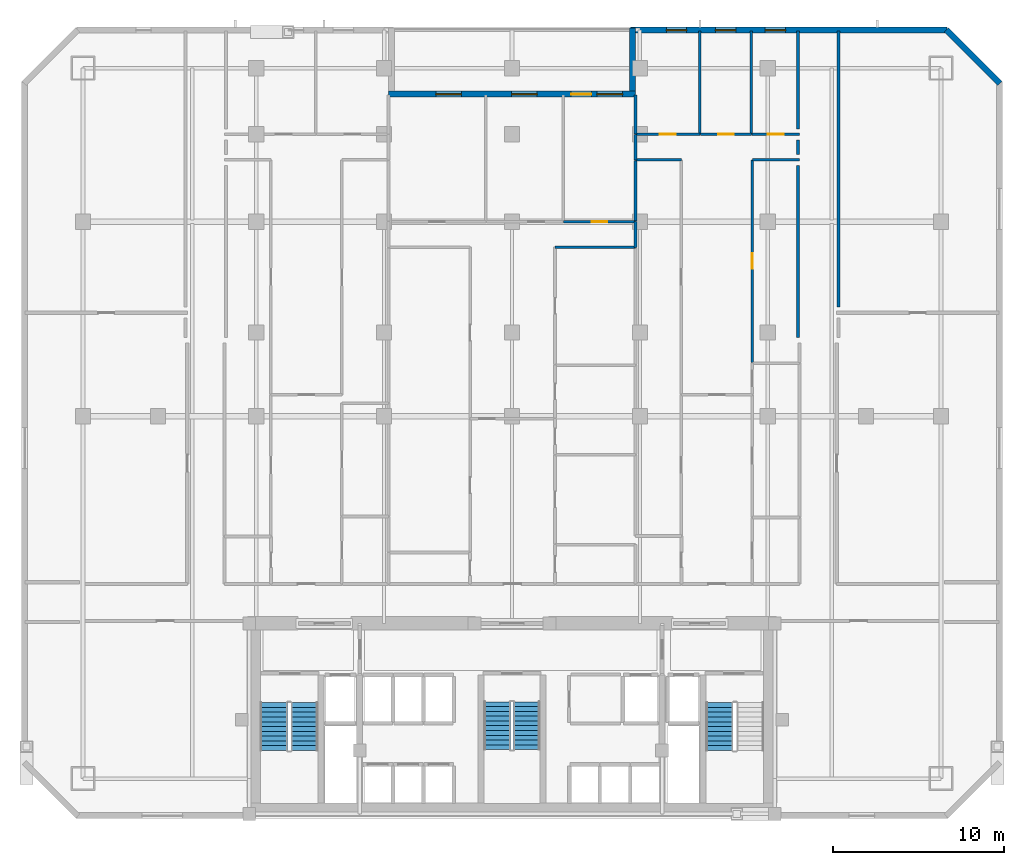
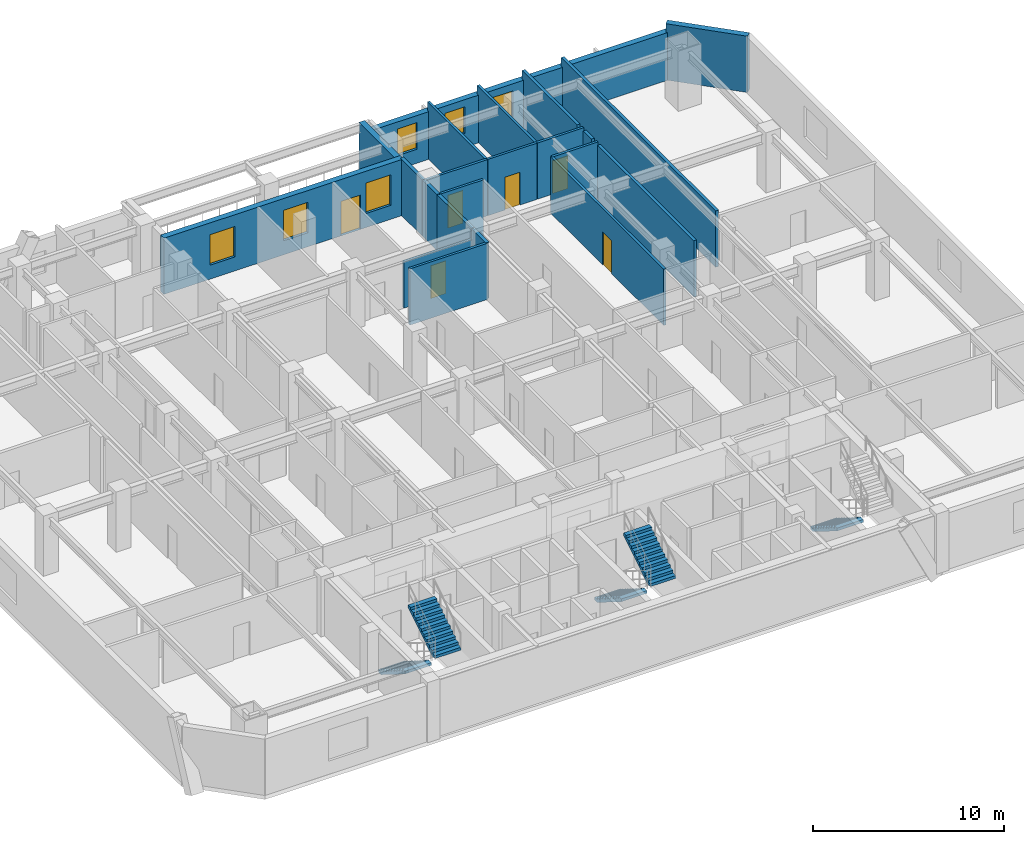
# One storey, part 7 of 10: 22 walls, 6 doors, 6 windows, 5 stair flights, 12 openings, 3 elements without a shape of their own.
"""IFC4 building model written with IfcOpenShell, lengths in metres."""

from ifc_helpers import new_model, si_unit, direction, frame, frame_2d, origin, place, context, subcontext, project, spatial, polyline, rectangle, outline, extrude, material, layer, layer_set, type_object, element, fill, aggregate, save


model = new_model("IFC4")

# Units and contexts
model_context = context("Model", 3, precision=1e-05, world=origin(), true_north=direction((0.0, 1.0)))
body_context = subcontext(model_context, "Body", "Model", "MODEL_VIEW")
ifc_project = project(units=[si_unit("LENGTHUNIT", "METRE"), si_unit("AREAUNIT", "SQUARE_METRE"), si_unit("VOLUMEUNIT", "CUBIC_METRE"), si_unit("PLANEANGLEUNIT", "RADIAN"), si_unit("MASSUNIT", "GRAM", prefix="KILO")], contexts=[model_context])

# Site, building, storey
site_placement = place(None, origin())
site = spatial("IfcSite", under=ifc_project, at=site_placement, CompositionType="ELEMENT")
building_placement = place(site_placement, origin())
building = spatial("IfcBuilding", under=site, at=building_placement, Name="Ventersveld Concourse Tower", CompositionType="ELEMENT")
storey_placement = place(building_placement, frame((0.0, 0.0, 60.60009765625)))
storey = spatial("IfcBuildingStorey", under=building, at=storey_placement, Name="L14", CompositionType="ELEMENT", Elevation=60.60009765625)

# Walls
ifc_material_1 = material(Name="Fire-rated autoclaved aerated masonry blockwork", Category="masonry")
ifc_layer_1 = layer(ifc_material_1, 0.179931640625)
ifc_layer_set_1 = layer_set([ifc_layer_1], Name="Fire-rated autoclaved aerated masonry blockwork")
wall_type_1 = type_object("IfcWallType", Name="WL-CORR-180", PredefinedType="PARTITIONING", material=ifc_layer_set_1)
wall_1_placement = place(storey_placement, frame((47.8798828125, 29.9951171875, 0.0), z_axis=(0.0, 0.0, 1.0), x_axis=(0.0, 1.0, 0.0)))
element("IfcWall", 1, at=wall_1_placement, inside=storey, type_object=wall_type_1, Name="L14 Room Enclosure Wall SP-L14-NELNG2", PredefinedType="PARTITIONING", context=body_context, shape_type="SweptSolid", body=[
    extrude(rectangle(XDim=16.19482421875, YDim=0.179931640625, at=frame_2d((8.097412109375, 0.0))), origin(), (0.0, 0.0, 1.0), 3.599853515625),
])
wall_2_placement = place(storey_placement, frame((45.52001953125, 39.794921875, 0.0), z_axis=(0.0, 0.0, 1.0), x_axis=(0.0, -1.0, 0.0)))
element("IfcWall", 2, at=wall_2_placement, inside=storey, type_object=wall_type_1, Name="L14 Room Enclosure Wall SP-L14-14CE-LIV", PredefinedType="PARTITIONING", context=body_context, shape_type="SweptSolid", body=[
    extrude(rectangle(XDim=0.849853515625, YDim=0.179931640625, at=frame_2d((0.4248046875, 0.0))), origin(), (0.0, 0.0, 1.0), 3.599853515625),
])
wall_3_placement = place(storey_placement, frame((45.52001953125, 38.294921875, 0.0), z_axis=(0.0, 0.0, 1.0), x_axis=(0.0, -1.0, 0.0)))
element("IfcWall", 3, at=wall_3_placement, inside=storey, type_object=wall_type_1, Name="L14 Room Enclosure Wall SP-L14-14CE-DENS", PredefinedType="PARTITIONING", context=body_context, shape_type="SweptSolid", body=[
    extrude(rectangle(XDim=10.0849609375, YDim=0.179931640625, at=frame_2d((5.04248046875, 0.0))), origin(), (0.0, 0.0, 1.0), 3.599853515625),
])
wall_4_placement = place(storey_placement, frame((45.52001953125, 46.18994140625, 0.0), z_axis=(0.0, 0.0, 1.0), x_axis=(0.0, -1.0, 0.0)))
element("IfcWall", 4, at=wall_4_placement, inside=storey, type_object=wall_type_1, Name="L14 Room Enclosure Wall SP-L14-14CE-BR3", PredefinedType="PARTITIONING", context=body_context, shape_type="SweptSolid", body=[
    extrude(rectangle(XDim=5.744873046875, YDim=0.179931640625, at=frame_2d((2.87255859375, 0.0))), origin(), (0.0, 0.0, 1.0), 3.599853515625),
])
ifc_layer_2 = layer(ifc_material_1, 0.199951171875)
ifc_layer_set_2 = layer_set([ifc_layer_2], Name="Fire-rated autoclaved aerated masonry blockwork")
wall_type_2 = type_object("IfcWallType", Name="WL-DEMISE-200", PredefinedType="PARTITIONING", material=ifc_layer_set_2)
wall_5_placement = place(storey_placement, frame((35.989990234375, 38.614990234375, 0.0), z_axis=(0.0, 0.0, 1.0), x_axis=(0.0, 1.0, 0.0)))
element("IfcWall", 5, at=wall_5_placement, inside=storey, type_object=wall_type_2, Name="L14 Interior Partition SP-L14-14CE-LIV-SP-L14-14CM-BR3", PredefinedType="PARTITIONING", context=body_context, shape_type="SweptSolid", body=[
    extrude(rectangle(XDim=1.510009765625, YDim=0.199951171875, at=frame_2d((0.7548828125, 0.0))), origin(), (0.0, 0.0, 1.0), 3.599853515625),
])
wall_6_placement = place(storey_placement, frame((35.989990234375, 33.4951171875, 0.0), z_axis=(0.0, 0.0, 1.0), x_axis=(0.0, 1.0, 0.0)))
element("IfcWall", 6, at=wall_6_placement, inside=storey, type_object=wall_type_2, Name="L14 Interior Partition SP-L14-14CE-OFFL0-SP-L14-14CM-LIV", PredefinedType="PARTITIONING", context=body_context, shape_type="SweptSolid", body=[
    extrude(rectangle(XDim=1.509765625, YDim=0.199951171875, at=frame_2d((0.7548828125, 0.0))), origin(), (0.0, 0.0, 1.0), 3.599853515625),
])
wall_7_placement = place(storey_placement, frame((35.989990234375, 35.034912109375, 0.0), z_axis=(0.0, 0.0, 1.0), x_axis=(0.0, 1.0, 0.0)))
element("IfcWall", 7, at=wall_7_placement, inside=storey, type_object=wall_type_2, Name="L14 Interior Partition SP-L14-14CE-OFFL0-SP-L14-14CM-BR3", PredefinedType="PARTITIONING", context=body_context, shape_type="SweptSolid", body=[
    extrude(rectangle(XDim=3.550048828125, YDim=0.199951171875, at=frame_2d((1.77490234375, 0.0))), origin(), (0.0, 0.0, 1.0), 3.599853515625),
])
wall_8_placement = place(storey_placement, frame((35.989990234375, 40.155029296875, 0.0), z_axis=(0.0, 0.0, 1.0), x_axis=(0.0, 1.0, 0.0)))
element("IfcWall", 8, at=wall_8_placement, inside=storey, type_object=wall_type_2, Name="L14 Interior Partition SP-L14-14CE-BR1-SP-L14-14CM-BR3", PredefinedType="PARTITIONING", context=body_context, shape_type="SweptSolid", body=[
    extrude(rectangle(XDim=2.284912109375, YDim=0.199951171875, at=frame_2d((1.142578125, 0.0))), origin(), (0.0, 0.0, 1.0), 3.599853515625),
])
ifc_material_2 = material(Name="Autoclaved aerated masonry blockwork", Category="masonry")
ifc_layer_3 = layer(ifc_material_2, 0.14990234375)
ifc_layer_set_3 = layer_set([ifc_layer_3], Name="Autoclaved aerated masonry blockwork")
wall_type_3 = type_object("IfcWallType", Name="WL-INT-150", PredefinedType="PARTITIONING", material=ifc_layer_set_3)
wall_9_placement = place(storey_placement, frame((35.985107421875, 38.6201171875, 0.0), z_axis=(0.0, 0.0, 1.0), x_axis=(1.0, 0.0, 0.0)))
element("IfcWall", 9, at=wall_9_placement, inside=storey, type_object=wall_type_3, Name="L14 Interior Partition SP-L14-14CE-LIV-SP-L14-14CE-OFFL0", PredefinedType="PARTITIONING", context=body_context, shape_type="SweptSolid", body=[
    extrude(rectangle(XDim=2.699462890625, YDim=0.14990234375, at=frame_2d((1.349609375, 0.0))), origin(), (0.0, 0.0, 1.0), 3.599853515625),
])

# Wall, opening, door
wall_10_placement = place(storey_placement, frame((42.841796875, 26.74853515625, 0.0), z_axis=(0.0, 0.0, 1.0), x_axis=(0.0, 1.0, 0.0)))
wall_10 = element("IfcWall", 10, at=wall_10_placement, inside=storey, type_object=wall_type_3, Name="L14 Interior Partition SP-L14-14CE-LIV-SP-L14-14CE-DENS", PredefinedType="PARTITIONING", context=body_context, shape_type="SweptSolid", body=[
    extrude(rectangle(XDim=11.87646484375, YDim=0.14990234375, at=frame_2d((5.938232421875, 0.0))), origin(), (0.0, 0.0, 1.0), 3.599853515625),
])
opening_1_placement = place(wall_10_placement, frame((5.478271484375, 0.0, 0.0)))
opening_1 = element("IfcOpeningElement", 11, at=opening_1_placement, cuts=wall_10, Name="Opening ID1", PredefinedType="OPENING", context=body_context, shape_type="SweptSolid", body=[
    extrude(rectangle(XDim=0.919921875, YDim=2.10009765625, at=frame_2d((0.4599609375, 1.050048828125))), frame((0.0, 0.0849609375, 0.0), z_axis=(0.0, -1.0, 0.0), x_axis=(1.0, 0.0, 0.0)), (0.0, 0.0, 1.0), 0.169921875),
])
ifc_material_3 = material(Name="Solid-core hardwood veneer timber", Category="wood")
door_type_1 = type_object("IfcDoorType", Name="DR-ROOM-092", OperationType="NOTDEFINED", PredefinedType="DOOR", material=ifc_material_3)
door_1_placement = place(opening_1_placement, origin())
door_1 = element("IfcDoor", 12, at=door_1_placement, inside=storey, type_object=door_type_1, Name="L14 Interior Door SP-L14-14CE-LIV to SP-L14-14CE-DENS (D-L14-0630)", OperationType="SINGLE_SWING_RIGHT", OverallHeight=2.10009765625, OverallWidth=0.919921875, PredefinedType="DOOR", context=body_context, shape_type="SweptSolid", body=[
    extrude(rectangle(XDim=0.919921875, YDim=2.10009765625, at=frame_2d((0.4599609375, 1.050048828125))), frame((0.0, 0.02490234375, 0.0), z_axis=(0.0, -1.0, 0.0), x_axis=(1.0, 0.0, 0.0)), (0.0, 0.0, 1.0), 0.050048828125),
])
fill(opening_1, door_1)

# Wall
wall_11_placement = place(storey_placement, frame((42.8369140625, 38.6201171875, 0.0), z_axis=(0.0, 0.0, 1.0), x_axis=(1.0, 0.0, 0.0)))
element("IfcWall", 13, at=wall_11_placement, inside=storey, type_object=wall_type_3, Name="L14 Interior Partition SP-L14-14CE-LIV-SP-L14-14CE-DENS", PredefinedType="PARTITIONING", context=body_context, shape_type="SweptSolid", body=[
    extrude(rectangle(XDim=2.778076171875, YDim=0.14990234375, at=frame_2d((1.38916015625, 0.0))), origin(), (0.0, 0.0, 1.0), 3.599853515625),
])

# Wall, opening, door
wall_12_placement = place(storey_placement, frame((35.985107421875, 40.1201171875, 0.0), z_axis=(0.0, 0.0, 1.0), x_axis=(1.0, 0.0, 0.0)))
wall_12 = element("IfcWall", 14, at=wall_12_placement, inside=storey, type_object=wall_type_3, Name="L14 Interior Partition SP-L14-14CE-LIV-SP-L14-14CE-BR1", PredefinedType="PARTITIONING", context=body_context, shape_type="SweptSolid", body=[
    extrude(rectangle(XDim=3.7841796875, YDim=0.14990234375, at=frame_2d((1.89208984375, 0.0))), origin(), (0.0, 0.0, 1.0), 3.599853515625),
])
opening_2_placement = place(wall_12_placement, frame((1.43212890625, 0.0, 0.0)))
opening_2 = element("IfcOpeningElement", 15, at=opening_2_placement, cuts=wall_12, Name="Opening ID1", PredefinedType="OPENING", context=body_context, shape_type="SweptSolid", body=[
    extrude(rectangle(XDim=0.919921875, YDim=2.10009765625, at=frame_2d((0.4599609375, 1.050048828125))), frame((0.0, 0.0849609375, 0.0), z_axis=(0.0, -1.0, 0.0), x_axis=(1.0, 0.0, 0.0)), (0.0, 0.0, 1.0), 0.169921875),
])
door_2_placement = place(opening_2_placement, origin())
door_2 = element("IfcDoor", 16, at=door_2_placement, inside=storey, type_object=door_type_1, Name="L14 Interior Door SP-L14-14CE-LIV to SP-L14-14CE-BR1 (D-L14-0631)", OperationType="SINGLE_SWING_LEFT", OverallHeight=2.10009765625, OverallWidth=0.919921875, PredefinedType="DOOR", context=body_context, shape_type="SweptSolid", body=[
    extrude(rectangle(XDim=0.919921875, YDim=2.10009765625, at=frame_2d((0.4599609375, 1.050048828125))), frame((0.0, 0.02490234375, 0.0), z_axis=(0.0, -1.0, 0.0), x_axis=(1.0, 0.0, 0.0)), (0.0, 0.0, 1.0), 0.050048828125),
])
fill(opening_2, door_2)

wall_13_placement = place(storey_placement, frame((39.79931640625, 40.1201171875, 0.0), z_axis=(0.0, 0.0, 1.0), x_axis=(1.0, 0.0, 0.0)))
wall_13 = element("IfcWall", 17, at=wall_13_placement, inside=storey, type_object=wall_type_3, Name="L14 Interior Partition SP-L14-14CE-LIV-SP-L14-14CE-BR2", PredefinedType="PARTITIONING", context=body_context, shape_type="SweptSolid", body=[
    extrude(rectangle(XDim=2.9873046875, YDim=0.14990234375, at=frame_2d((1.49365234375, 0.0))), origin(), (0.0, 0.0, 1.0), 3.599853515625),
])
opening_3_placement = place(wall_13_placement, frame((1.03369140625, 0.0, 0.0)))
opening_3 = element("IfcOpeningElement", 18, at=opening_3_placement, cuts=wall_13, Name="Opening ID1", PredefinedType="OPENING", context=body_context, shape_type="SweptSolid", body=[
    extrude(rectangle(XDim=0.919921875, YDim=2.10009765625, at=frame_2d((0.4599609375, 1.050048828125))), frame((0.0, 0.0849609375, 0.0), z_axis=(0.0, -1.0, 0.0), x_axis=(1.0, 0.0, 0.0)), (0.0, 0.0, 1.0), 0.169921875),
])
door_3_placement = place(opening_3_placement, origin())
door_3 = element("IfcDoor", 19, at=door_3_placement, inside=storey, type_object=door_type_1, Name="L14 Interior Door SP-L14-14CE-LIV to SP-L14-14CE-BR2 (D-L14-0632)", OperationType="SINGLE_SWING_RIGHT", OverallHeight=2.10009765625, OverallWidth=0.919921875, PredefinedType="DOOR", context=body_context, shape_type="SweptSolid", body=[
    extrude(rectangle(XDim=0.919921875, YDim=2.10009765625, at=frame_2d((0.4599609375, 1.050048828125))), frame((0.0, 0.02490234375, 0.0), z_axis=(0.0, -1.0, 0.0), x_axis=(1.0, 0.0, 0.0)), (0.0, 0.0, 1.0), 0.050048828125),
])
fill(opening_3, door_3)

wall_14_placement = place(storey_placement, frame((42.816650390625, 40.1201171875, 0.0), z_axis=(0.0, 0.0, 1.0), x_axis=(1.0, 0.0, 0.0)))
wall_14 = element("IfcWall", 20, at=wall_14_placement, inside=storey, type_object=wall_type_3, Name="L14 Interior Partition SP-L14-14CE-LIV-SP-L14-14CE-BR3", PredefinedType="PARTITIONING", context=body_context, shape_type="SweptSolid", body=[
    extrude(rectangle(XDim=2.79833984375, YDim=0.14990234375, at=frame_2d((1.399169921875, 0.0))), origin(), (0.0, 0.0, 1.0), 3.599853515625),
])
opening_4_placement = place(wall_14_placement, frame((0.939208984375, 0.0, 0.0)))
opening_4 = element("IfcOpeningElement", 21, at=opening_4_placement, cuts=wall_14, Name="Opening ID1", PredefinedType="OPENING", context=body_context, shape_type="SweptSolid", body=[
    extrude(rectangle(XDim=0.919921875, YDim=2.10009765625, at=frame_2d((0.4599609375, 1.050048828125))), frame((0.0, 0.0849609375, 0.0), z_axis=(0.0, -1.0, 0.0), x_axis=(1.0, 0.0, 0.0)), (0.0, 0.0, 1.0), 0.169921875),
])
door_4_placement = place(opening_4_placement, origin())
door_4 = element("IfcDoor", 22, at=door_4_placement, inside=storey, type_object=door_type_1, Name="L14 Interior Door SP-L14-14CE-LIV to SP-L14-14CE-BR3 (D-L14-0633)", OperationType="SINGLE_SWING_LEFT", OverallHeight=2.10009765625, OverallWidth=0.919921875, PredefinedType="DOOR", context=body_context, shape_type="SweptSolid", body=[
    extrude(rectangle(XDim=0.919921875, YDim=2.10009765625, at=frame_2d((0.4599609375, 1.050048828125))), frame((0.0, 0.02490234375, 0.0), z_axis=(0.0, -1.0, 0.0), x_axis=(1.0, 0.0, 0.0)), (0.0, 0.0, 1.0), 0.050048828125),
])
fill(opening_4, door_4)

# Walls
for number, where, z_axis, x_axis, name in (
    (23, (39.76416015625, 40.114990234375, 0.0), (0.0, 0.0, 1.0), (0.0, 1.0, 0.0), "L14 Interior Partition SP-L14-14CE-BR1-SP-L14-14CE-BR2"),
    (24, (42.78173828125, 40.114990234375, 0.0), (0.0, 0.0, 1.0), (0.0, 1.0, 0.0), "L14 Interior Partition SP-L14-14CE-BR2-SP-L14-14CE-BR3"),
):
    element("IfcWall", number, at=place(storey_placement, frame(where, z_axis=z_axis, x_axis=x_axis)), inside=storey, type_object=wall_type_3, Name=name, PredefinedType="PARTITIONING", context=body_context, shape_type="SweptSolid", body=[
        extrude(rectangle(XDim=6.074951171875, YDim=0.14990234375, at=frame_2d((3.03759765625, 0.0))), origin(), (0.0, 0.0, 1.0), 3.599853515625),
    ])
wall_15_placement = place(storey_placement, frame((31.2646484375, 33.5, 0.0), z_axis=(0.0, 0.0, 1.0), x_axis=(1.0, 0.0, 0.0)))
element("IfcWall", 25, at=wall_15_placement, inside=storey, type_object=wall_type_3, Name="L14 Interior Partition SP-L14-14CM-LIV-SP-L14-14CM-DENS2", PredefinedType="PARTITIONING", context=body_context, shape_type="SweptSolid", body=[
    extrude(rectangle(XDim=4.73046875, YDim=0.14990234375, at=frame_2d((2.365234375, 0.0))), origin(), (0.0, 0.0, 1.0), 3.599853515625),
])

# Wall, opening, door
wall_16_placement = place(storey_placement, frame((31.779052734375, 35.0, 0.0), z_axis=(0.0, 0.0, 1.0), x_axis=(1.0, 0.0, 0.0)))
wall_16 = element("IfcWall", 26, at=wall_16_placement, inside=storey, type_object=wall_type_3, Name="L14 Interior Partition SP-L14-14CM-LIV-SP-L14-14CM-BR3", PredefinedType="PARTITIONING", context=body_context, shape_type="SweptSolid", body=[
    extrude(rectangle(XDim=4.216064453125, YDim=0.14990234375, at=frame_2d((2.10791015625, 0.0))), origin(), (0.0, 0.0, 1.0), 2.964111328125),
])
opening_5_placement = place(wall_16_placement, frame((1.64794921875, 0.0, 0.0)))
opening_5 = element("IfcOpeningElement", 27, at=opening_5_placement, cuts=wall_16, Name="Opening ID1", PredefinedType="OPENING", context=body_context, shape_type="SweptSolid", body=[
    extrude(rectangle(XDim=0.919921875, YDim=2.10009765625, at=frame_2d((0.4599609375, 1.050048828125))), frame((0.0, 0.0849609375, 0.0), z_axis=(0.0, -1.0, 0.0), x_axis=(1.0, 0.0, 0.0)), (0.0, 0.0, 1.0), 0.169921875),
])
door_5_placement = place(opening_5_placement, origin())
door_5 = element("IfcDoor", 28, at=door_5_placement, inside=storey, type_object=door_type_1, Name="L14 Interior Door SP-L14-14CM-LIV to SP-L14-14CM-BR3 (D-L14-0645)", OperationType="SINGLE_SWING_LEFT", OverallHeight=2.10009765625, OverallWidth=0.919921875, PredefinedType="DOOR", context=body_context, shape_type="SweptSolid", body=[
    extrude(rectangle(XDim=0.919921875, YDim=2.10009765625, at=frame_2d((0.4599609375, 1.050048828125))), frame((0.0, 0.02490234375, 0.0), z_axis=(0.0, -1.0, 0.0), x_axis=(1.0, 0.0, 0.0)), (0.0, 0.0, 1.0), 0.050048828125),
])
fill(opening_5, door_5)

# Wall
ifc_material_4 = material(Name="Precast concrete C45/55", Category="concrete")
ifc_layer_4 = layer(ifc_material_4, 0.35009765625)
ifc_layer_set_4 = layer_set([ifc_layer_4], Name="Precast concrete C45/55")
wall_type_4 = type_object("IfcWallType", Name="WL-PREC-350", PredefinedType="SOLIDWALL", material=ifc_layer_set_4)
wall_17_placement = place(storey_placement, frame((57.347900390625, 43.1044921875, 0.0), z_axis=(0.0, 0.0, 1.0), x_axis=(-0.707079321262, 0.707134240044, 0.0)))
element("IfcWall", 29, at=wall_17_placement, inside=storey, type_object=wall_type_4, Name="L14 Highveld Precast Facade Wall E04", PredefinedType="SOLIDWALL", context=body_context, shape_type="SweptSolid", body=[
    extrude(rectangle(XDim=4.445556640625, YDim=0.35009765625, at=frame_2d((2.22265625, 0.0))), origin(), (0.0, 0.0, 1.0), 3.599853515625),
])

# Wall, openings, windows
wall_18_placement = place(storey_placement, frame((54.260009765625, 46.22509765625, 0.0), z_axis=(0.0, 0.0, 1.0), x_axis=(-1.0, 0.0, 0.0)))
wall_18 = element("IfcWall", 30, at=wall_18_placement, inside=storey, type_object=wall_type_4, Name="L14 Highveld Precast Facade Wall E05", PredefinedType="SOLIDWALL", context=body_context, shape_type="SweptSolid", body=[
    extrude(rectangle(XDim=18.570068359375, YDim=0.35009765625, at=frame_2d((9.28515625, 0.0))), origin(), (0.0, 0.0, 1.0), 3.055419921875),
])
opening_6_placement = place(wall_18_placement, frame((15.265380859375, 0.0, 0.89990234375)))
opening_6 = element("IfcOpeningElement", 31, at=opening_6_placement, cuts=wall_18, Name="Opening W3", PredefinedType="OPENING", context=body_context, shape_type="SweptSolid", body=[
    extrude(rectangle(XDim=1.199951171875, YDim=1.699951171875, at=frame_2d((0.60009765625, 0.85009765625))), frame((0.0, 0.18505859375, 0.0), z_axis=(0.0, -1.0, 0.0), x_axis=(1.0, 0.0, 0.0)), (0.0, 0.0, 1.0), 0.3701171875),
])
opening_7_placement = place(wall_18_placement, frame((12.38720703125, 0.0, 0.89990234375)))
opening_7 = element("IfcOpeningElement", 32, at=opening_7_placement, cuts=wall_18, Name="Opening W3", PredefinedType="OPENING", context=body_context, shape_type="SweptSolid", body=[
    extrude(rectangle(XDim=1.199951171875, YDim=1.699951171875, at=frame_2d((0.60009765625, 0.85009765625))), frame((0.0, 0.18505859375, 0.0), z_axis=(0.0, -1.0, 0.0), x_axis=(1.0, 0.0, 0.0)), (0.0, 0.0, 1.0), 0.3701171875),
])
opening_8_placement = place(wall_18_placement, frame((9.464111328125, 0.0, 0.89990234375)))
opening_8 = element("IfcOpeningElement", 33, at=opening_8_placement, cuts=wall_18, Name="Opening W3", PredefinedType="OPENING", context=body_context, shape_type="SweptSolid", body=[
    extrude(rectangle(XDim=1.199951171875, YDim=1.699951171875, at=frame_2d((0.60009765625, 0.85009765625))), frame((0.0, 0.18505859375, 0.0), z_axis=(0.0, -1.0, 0.0), x_axis=(1.0, 0.0, 0.0)), (0.0, 0.0, 1.0), 0.3701171875),
])
ifc_material_5 = material(Name="Tempered acoustic Low-E IGU", Category="glass")
window_type_1 = type_object("IfcWindowType", Name="WIN-120x180", PartitioningType="SINGLE_PANEL", PredefinedType="WINDOW", material=ifc_material_5)
window_1_placement = place(opening_6_placement, origin())
window_1 = element("IfcWindow", 34, at=window_1_placement, inside=storey, type_object=window_type_1, Name="L14 Punched Low-E Window W-0117", OverallHeight=1.699951171875, OverallWidth=1.199951171875, PartitioningType="SINGLE_PANEL", PredefinedType="WINDOW", context=body_context, shape_type="SweptSolid", body=[
    extrude(rectangle(XDim=1.199951171875, YDim=1.699951171875, at=frame_2d((0.60009765625, 0.85009765625))), frame((0.0, 0.030029296875, 0.0), z_axis=(0.0, -1.0, 0.0), x_axis=(1.0, 0.0, 0.0)), (0.0, 0.0, 1.0), 0.06005859375),
])
fill(opening_6, window_1)
window_2_placement = place(opening_7_placement, origin())
window_2 = element("IfcWindow", 35, at=window_2_placement, inside=storey, type_object=window_type_1, Name="L14 Punched Low-E Window W-0118", OverallHeight=1.699951171875, OverallWidth=1.199951171875, PartitioningType="SINGLE_PANEL", PredefinedType="WINDOW", context=body_context, shape_type="SweptSolid", body=[
    extrude(rectangle(XDim=1.199951171875, YDim=1.699951171875, at=frame_2d((0.60009765625, 0.85009765625))), frame((0.0, 0.030029296875, 0.0), z_axis=(0.0, -1.0, 0.0), x_axis=(1.0, 0.0, 0.0)), (0.0, 0.0, 1.0), 0.06005859375),
])
fill(opening_7, window_2)
window_3_placement = place(opening_8_placement, origin())
window_3 = element("IfcWindow", 36, at=window_3_placement, inside=storey, type_object=window_type_1, Name="L14 Punched Low-E Window W-0119", OverallHeight=1.699951171875, OverallWidth=1.199951171875, PartitioningType="SINGLE_PANEL", PredefinedType="WINDOW", context=body_context, shape_type="SweptSolid", body=[
    extrude(rectangle(XDim=1.199951171875, YDim=1.699951171875, at=frame_2d((0.60009765625, 0.85009765625))), frame((0.0, 0.030029296875, 0.0), z_axis=(0.0, -1.0, 0.0), x_axis=(1.0, 0.0, 0.0)), (0.0, 0.0, 1.0), 0.06005859375),
])
fill(opening_8, window_3)

# Wall
wall_19_placement = place(storey_placement, frame((35.824951171875, 46.360107421875, 0.0), z_axis=(0.0, 0.0, 1.0), x_axis=(0.0, -1.0, 0.0)))
element("IfcWall", 37, at=wall_19_placement, inside=storey, type_object=wall_type_4, Name="L14 Highveld Precast Facade Wall E06", PredefinedType="SOLIDWALL", context=body_context, shape_type="SweptSolid", body=[
    extrude(rectangle(XDim=3.710205078125, YDim=0.35009765625, at=frame_2d((1.85498046875, 0.0))), origin(), (0.0, 0.0, 1.0), 3.599853515625),
])

# Wall, openings, door, windows
wall_20_placement = place(storey_placement, frame((36.0, 42.47509765625, 0.0), z_axis=(0.0, 0.0, 1.0), x_axis=(-1.0, 0.0, 0.0)))
wall_20 = element("IfcWall", 38, at=wall_20_placement, inside=storey, type_object=wall_type_4, Name="L14 Highveld Precast Facade Wall E07", PredefinedType="SOLIDWALL", context=body_context, shape_type="SweptSolid", body=[
    extrude(rectangle(XDim=14.5, YDim=0.35009765625, at=frame_2d((7.25, 0.0))), origin(), (0.0, 0.0, 1.0), 3.599853515625),
])
opening_9_placement = place(wall_20_placement, frame((2.590087890625, 0.0, 0.0)))
opening_9 = element("IfcOpeningElement", 39, at=opening_9_placement, cuts=wall_20, Name="Opening TD1", PredefinedType="OPENING", context=body_context, shape_type="SweptSolid", body=[
    extrude(rectangle(XDim=1.199951171875, YDim=2.199951171875, at=frame_2d((0.60009765625, 1.10009765625))), frame((0.0, 0.18505859375, 0.0), z_axis=(0.0, -1.0, 0.0), x_axis=(1.0, 0.0, 0.0)), (0.0, 0.0, 1.0), 0.3701171875),
])
opening_10_placement = place(wall_20_placement, frame((10.21240234375, 0.0, 0.89990234375)))
opening_10 = element("IfcOpeningElement", 40, at=opening_10_placement, cuts=wall_20, Name="Opening W1", PredefinedType="OPENING", context=body_context, shape_type="SweptSolid", body=[
    extrude(rectangle(XDim=1.5, YDim=1.949951171875, at=frame_2d((0.75, 0.97509765625))), frame((0.0, 0.18505859375, 0.0), z_axis=(0.0, -1.0, 0.0), x_axis=(1.0, 0.0, 0.0)), (0.0, 0.0, 1.0), 0.3701171875),
])
opening_11_placement = place(wall_20_placement, frame((5.77392578125, 0.0, 0.89990234375)))
opening_11 = element("IfcOpeningElement", 41, at=opening_11_placement, cuts=wall_20, Name="Opening W1", PredefinedType="OPENING", context=body_context, shape_type="SweptSolid", body=[
    extrude(rectangle(XDim=1.5, YDim=1.949951171875, at=frame_2d((0.75, 0.97509765625))), frame((0.0, 0.18505859375, 0.0), z_axis=(0.0, -1.0, 0.0), x_axis=(1.0, 0.0, 0.0)), (0.0, 0.0, 1.0), 0.3701171875),
])
opening_12_placement = place(wall_20_placement, frame((0.77001953125, 0.0, 0.89990234375)))
opening_12 = element("IfcOpeningElement", 42, at=opening_12_placement, cuts=wall_20, Name="Opening W1", PredefinedType="OPENING", context=body_context, shape_type="SweptSolid", body=[
    extrude(rectangle(XDim=1.5, YDim=1.949951171875, at=frame_2d((0.75, 0.97509765625))), frame((0.0, 0.18505859375, 0.0), z_axis=(0.0, -1.0, 0.0), x_axis=(1.0, 0.0, 0.0)), (0.0, 0.0, 1.0), 0.3701171875),
])
ifc_material_6 = material(Name="Anodised aluminium EN AW-6063-T6", Category="aluminium")
door_type_2 = type_object("IfcDoorType", Name="DR-TERR-120", OperationType="NOTDEFINED", PredefinedType="DOOR", material=ifc_material_6)
door_6_placement = place(opening_9_placement, frame((1.199951171875, 0.0, 0.0), z_axis=(0.0, 0.0, 1.0), x_axis=(-1.0, 0.0, 0.0)))
door_6 = element("IfcDoor", 43, at=door_6_placement, inside=storey, type_object=door_type_2, Name="L14 Stepped Valley Terrace Door TD-L14-01", OperationType="SINGLE_SWING_LEFT", OverallHeight=2.199951171875, OverallWidth=1.199951171875, PredefinedType="DOOR", context=body_context, shape_type="SweptSolid", body=[
    extrude(rectangle(XDim=1.199951171875, YDim=2.199951171875, at=frame_2d((0.60009765625, 1.10009765625))), frame((0.0, 0.02490234375, 0.0), z_axis=(0.0, -1.0, 0.0), x_axis=(1.0, 0.0, 0.0)), (0.0, 0.0, 1.0), 0.050048828125),
])
fill(opening_9, door_6)
window_type_2 = type_object("IfcWindowType", Name="WIN-150x210", PartitioningType="SINGLE_PANEL", PredefinedType="WINDOW", material=ifc_material_5)
window_4_placement = place(opening_10_placement, origin())
window_4 = element("IfcWindow", 44, at=window_4_placement, inside=storey, type_object=window_type_2, Name="L14 Punched Low-E Window W-0120", OverallHeight=1.949951171875, OverallWidth=1.5, PartitioningType="SINGLE_PANEL", PredefinedType="WINDOW", context=body_context, shape_type="SweptSolid", body=[
    extrude(rectangle(XDim=1.5, YDim=1.949951171875, at=frame_2d((0.75, 0.97509765625))), frame((0.0, 0.030029296875, 0.0), z_axis=(0.0, -1.0, 0.0), x_axis=(1.0, 0.0, 0.0)), (0.0, 0.0, 1.0), 0.06005859375),
])
fill(opening_10, window_4)
window_5_placement = place(opening_11_placement, origin())
window_5 = element("IfcWindow", 45, at=window_5_placement, inside=storey, type_object=window_type_2, Name="L14 Punched Low-E Window W-0121", OverallHeight=1.949951171875, OverallWidth=1.5, PartitioningType="SINGLE_PANEL", PredefinedType="WINDOW", context=body_context, shape_type="SweptSolid", body=[
    extrude(rectangle(XDim=1.5, YDim=1.949951171875, at=frame_2d((0.75, 0.97509765625))), frame((0.0, 0.030029296875, 0.0), z_axis=(0.0, -1.0, 0.0), x_axis=(1.0, 0.0, 0.0)), (0.0, 0.0, 1.0), 0.06005859375),
])
fill(opening_11, window_5)
window_6_placement = place(opening_12_placement, origin())
window_6 = element("IfcWindow", 46, at=window_6_placement, inside=storey, type_object=window_type_2, Name="L14 Punched Low-E Window W-0122", OverallHeight=1.949951171875, OverallWidth=1.5, PartitioningType="SINGLE_PANEL", PredefinedType="WINDOW", context=body_context, shape_type="SweptSolid", body=[
    extrude(rectangle(XDim=1.5, YDim=1.949951171875, at=frame_2d((0.75, 0.97509765625))), frame((0.0, 0.030029296875, 0.0), z_axis=(0.0, -1.0, 0.0), x_axis=(1.0, 0.0, 0.0)), (0.0, 0.0, 1.0), 0.06005859375),
])
fill(opening_12, window_6)

# Stair, stair flights
ifc_material_7 = material(Name="Concrete C50/60", Category="concrete")
stair_type_1 = type_object("IfcStairType", Name="ST-DOG-155", PredefinedType="HALF_TURN_STAIR", material=ifc_material_7)
stair_1_placement = place(storey_placement, origin())
stair_1 = element("IfcStair", 47, at=stair_1_placement, inside=storey, type_object=stair_type_1, Name="L14 Protected Central Core Escape Stair ST-03", PredefinedType="HALF_TURN_STAIR")
stair_flight_type_1 = type_object("IfcStairFlightType", Name="STF-RC-155", PredefinedType="STRAIGHT", material=ifc_material_7)
stair_flight_1_placement = place(storey_placement, frame((27.875, 6.85009765625, 0.0), z_axis=(0.0, 0.0, 1.0), x_axis=(0.0, -1.0, 0.0)))
stair_flight_1 = element("IfcStairFlight", 48, at=stair_flight_1_placement, type_object=stair_flight_type_1, Name="ST-03 flight 1", NumberOfRisers=11, NumberOfTreads=10, PredefinedType="STRAIGHT", RiserHeight=0.175, TreadLength=0.28, context=body_context, shape_type="SweptSolid", body=[
    extrude(outline(polyline([(0.0, 0.0), (0.0, 0.175048828125), (0.280029296875, 0.175048828125), (0.280029296875, 0.35009765625), (0.56005859375, 0.35009765625), (0.56005859375, 0.52490234375), (0.840087890625, 0.52490234375), (0.840087890625, 0.699951171875), (1.1201171875, 0.699951171875), (1.1201171875, 0.875), (1.39990234375, 0.875), (1.39990234375, 1.050048828125), (1.679931640625, 1.050048828125), (1.679931640625, 1.22509765625), (1.9599609375, 1.22509765625), (1.9599609375, 1.39990234375), (2.239990234375, 1.39990234375), (2.239990234375, 1.574951171875), (2.52001953125, 1.574951171875), (2.52001953125, 1.75), (2.800048828125, 1.75), (2.800048828125, 1.925048828125), (2.800048828125, 1.5732421875), (0.28271484375, 0.0), (0.0, 0.0)])), frame((0.0, 0.77490234375, 0.0), z_axis=(0.0, -1.0, 0.0), x_axis=(1.0, 0.0, 0.0)), (0.0, 0.0, 1.0), 1.550048828125),
])
stair_flight_2_placement = place(storey_placement, frame((29.625, 4.050048828125, 1.9248046875), z_axis=(0.0, 0.0, 1.0), x_axis=(0.0, 1.0, 0.0)))
stair_flight_2 = element("IfcStairFlight", 49, at=stair_flight_2_placement, type_object=stair_flight_type_1, Name="ST-03 flight 2", NumberOfRisers=11, NumberOfTreads=10, PredefinedType="STRAIGHT", RiserHeight=0.175, TreadLength=0.28, context=body_context, shape_type="SweptSolid", body=[
    extrude(outline(polyline([(0.0, 0.0), (0.0, 0.175048828125), (0.280029296875, 0.175048828125), (0.280029296875, 0.35009765625), (0.56005859375, 0.35009765625), (0.56005859375, 0.52490234375), (0.840087890625, 0.52490234375), (0.840087890625, 0.699951171875), (1.1201171875, 0.699951171875), (1.1201171875, 0.875), (1.39990234375, 0.875), (1.39990234375, 1.050048828125), (1.679931640625, 1.050048828125), (1.679931640625, 1.22509765625), (1.9599609375, 1.22509765625), (1.9599609375, 1.39990234375), (2.239990234375, 1.39990234375), (2.239990234375, 1.574951171875), (2.52001953125, 1.574951171875), (2.52001953125, 1.75), (2.800048828125, 1.75), (2.800048828125, 1.925048828125), (2.800048828125, 1.5732421875), (0.28271484375, 0.0), (0.0, 0.0)])), frame((0.0, 0.77490234375, 0.0), z_axis=(0.0, -1.0, 0.0), x_axis=(1.0, 0.0, 0.0)), (0.0, 0.0, 1.0), 1.550048828125),
])
aggregate(stair_1, [stair_flight_1, stair_flight_2])

stair_type_2 = type_object("IfcStairType", Name="ST-DOG-160", PredefinedType="HALF_TURN_STAIR", material=ifc_material_7)
stair_2_placement = place(storey_placement, origin())
stair_2 = element("IfcStair", 50, at=stair_2_placement, inside=storey, type_object=stair_type_2, Name="L14 Protected Tower Escape Stair ST-01", PredefinedType="HALF_TURN_STAIR")
stair_flight_type_2 = type_object("IfcStairFlightType", Name="STF-RC-160", PredefinedType="STRAIGHT", material=ifc_material_7)
stair_flight_3_placement = place(storey_placement, frame((14.780029296875, 6.800048828125, 0.0), z_axis=(0.0, 0.0, 1.0), x_axis=(0.0, -1.0, 0.0)))
stair_flight_3 = element("IfcStairFlight", 51, at=stair_flight_3_placement, type_object=stair_flight_type_2, Name="ST-01 flight 1", NumberOfRisers=11, NumberOfTreads=10, PredefinedType="STRAIGHT", RiserHeight=0.175, TreadLength=0.28, context=body_context, shape_type="SweptSolid", body=[
    extrude(outline(polyline([(0.0, 0.0), (0.0, 0.175048828125), (0.280029296875, 0.175048828125), (0.280029296875, 0.35009765625), (0.56005859375, 0.35009765625), (0.56005859375, 0.52490234375), (0.840087890625, 0.52490234375), (0.840087890625, 0.699951171875), (1.1201171875, 0.699951171875), (1.1201171875, 0.875), (1.39990234375, 0.875), (1.39990234375, 1.050048828125), (1.679931640625, 1.050048828125), (1.679931640625, 1.22509765625), (1.9599609375, 1.22509765625), (1.9599609375, 1.39990234375), (2.239990234375, 1.39990234375), (2.239990234375, 1.574951171875), (2.52001953125, 1.574951171875), (2.52001953125, 1.75), (2.800048828125, 1.75), (2.800048828125, 1.925048828125), (2.800048828125, 1.5732421875), (0.28271484375, 0.0), (0.0, 0.0)])), frame((0.0, 0.800048828125, 0.0), z_axis=(0.0, -1.0, 0.0), x_axis=(1.0, 0.0, 0.0)), (0.0, 0.0, 1.0), 1.60009765625),
])
stair_flight_4_placement = place(storey_placement, frame((16.580078125, 4.0, 1.9248046875), z_axis=(0.0, 0.0, 1.0), x_axis=(0.0, 1.0, 0.0)))
stair_flight_4 = element("IfcStairFlight", 52, at=stair_flight_4_placement, type_object=stair_flight_type_2, Name="ST-01 flight 2", NumberOfRisers=11, NumberOfTreads=10, PredefinedType="STRAIGHT", RiserHeight=0.175, TreadLength=0.28, context=body_context, shape_type="SweptSolid", body=[
    extrude(outline(polyline([(0.0, 0.0), (0.0, 0.175048828125), (0.280029296875, 0.175048828125), (0.280029296875, 0.35009765625), (0.56005859375, 0.35009765625), (0.56005859375, 0.52490234375), (0.840087890625, 0.52490234375), (0.840087890625, 0.699951171875), (1.1201171875, 0.699951171875), (1.1201171875, 0.875), (1.39990234375, 0.875), (1.39990234375, 1.050048828125), (1.679931640625, 1.050048828125), (1.679931640625, 1.22509765625), (1.9599609375, 1.22509765625), (1.9599609375, 1.39990234375), (2.239990234375, 1.39990234375), (2.239990234375, 1.574951171875), (2.52001953125, 1.574951171875), (2.52001953125, 1.75), (2.800048828125, 1.75), (2.800048828125, 1.925048828125), (2.800048828125, 1.5732421875), (0.28271484375, 0.0), (0.0, 0.0)])), frame((0.0, 0.800048828125, 0.0), z_axis=(0.0, -1.0, 0.0), x_axis=(1.0, 0.0, 0.0)), (0.0, 0.0, 1.0), 1.60009765625),
])
aggregate(stair_2, [stair_flight_3, stair_flight_4])

# Stair, stair flight
stair_3_placement = place(storey_placement, origin())
stair_3 = element("IfcStair", 53, at=stair_3_placement, inside=storey, type_object=stair_type_2, Name="L14 Protected Tower Escape Stair ST-02", PredefinedType="HALF_TURN_STAIR")
stair_flight_5_placement = place(storey_placement, frame((40.919921875, 6.800048828125, 0.0), z_axis=(0.0, 0.0, 1.0), x_axis=(0.0, -1.0, 0.0)))
stair_flight_5 = element("IfcStairFlight", 54, at=stair_flight_5_placement, type_object=stair_flight_type_2, Name="ST-02 flight 1", NumberOfRisers=11, NumberOfTreads=10, PredefinedType="STRAIGHT", RiserHeight=0.175, TreadLength=0.28, context=body_context, shape_type="SweptSolid", body=[
    extrude(outline(polyline([(0.0, 0.0), (0.0, 0.175048828125), (0.280029296875, 0.175048828125), (0.280029296875, 0.35009765625), (0.56005859375, 0.35009765625), (0.56005859375, 0.52490234375), (0.840087890625, 0.52490234375), (0.840087890625, 0.699951171875), (1.1201171875, 0.699951171875), (1.1201171875, 0.875), (1.39990234375, 0.875), (1.39990234375, 1.050048828125), (1.679931640625, 1.050048828125), (1.679931640625, 1.22509765625), (1.9599609375, 1.22509765625), (1.9599609375, 1.39990234375), (2.239990234375, 1.39990234375), (2.239990234375, 1.574951171875), (2.52001953125, 1.574951171875), (2.52001953125, 1.75), (2.800048828125, 1.75), (2.800048828125, 1.925048828125), (2.800048828125, 1.5732421875), (0.28271484375, 0.0), (0.0, 0.0)])), frame((0.0, 0.800048828125, 0.0), z_axis=(0.0, -1.0, 0.0), x_axis=(1.0, 0.0, 0.0)), (0.0, 0.0, 1.0), 1.60009765625),
])
aggregate(stair_3, [stair_flight_5])

save(model, "model.ifc")
